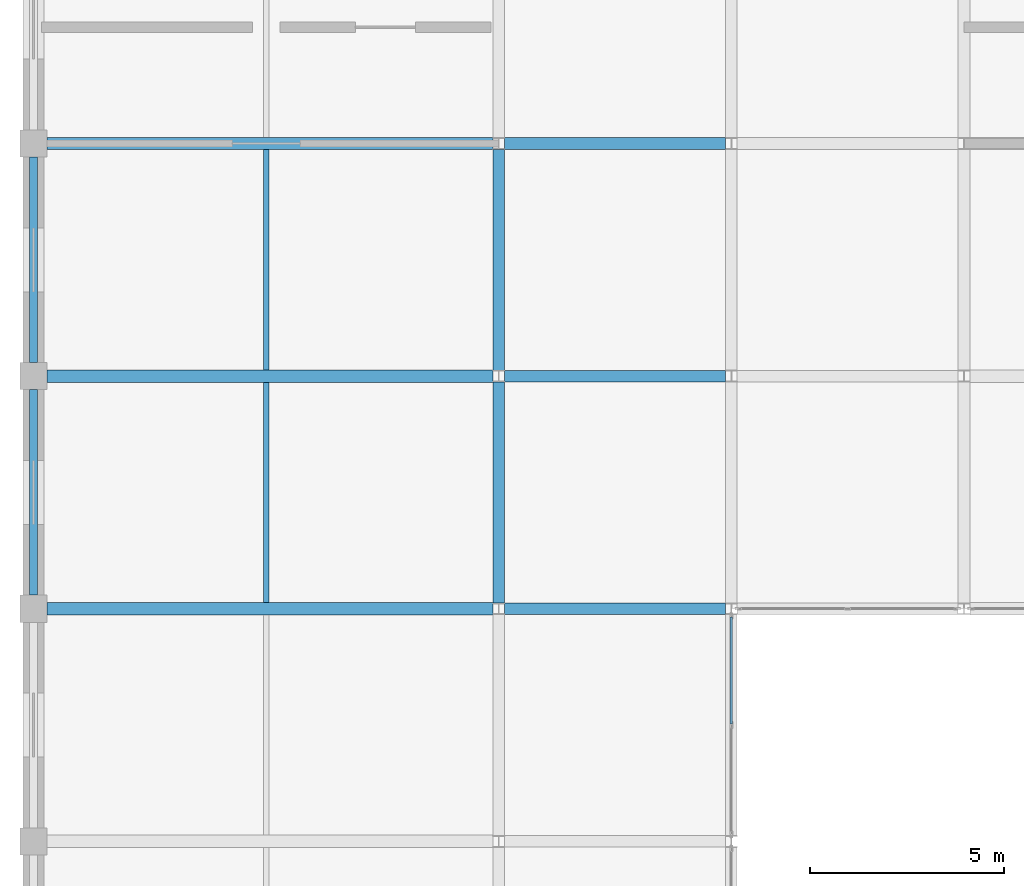
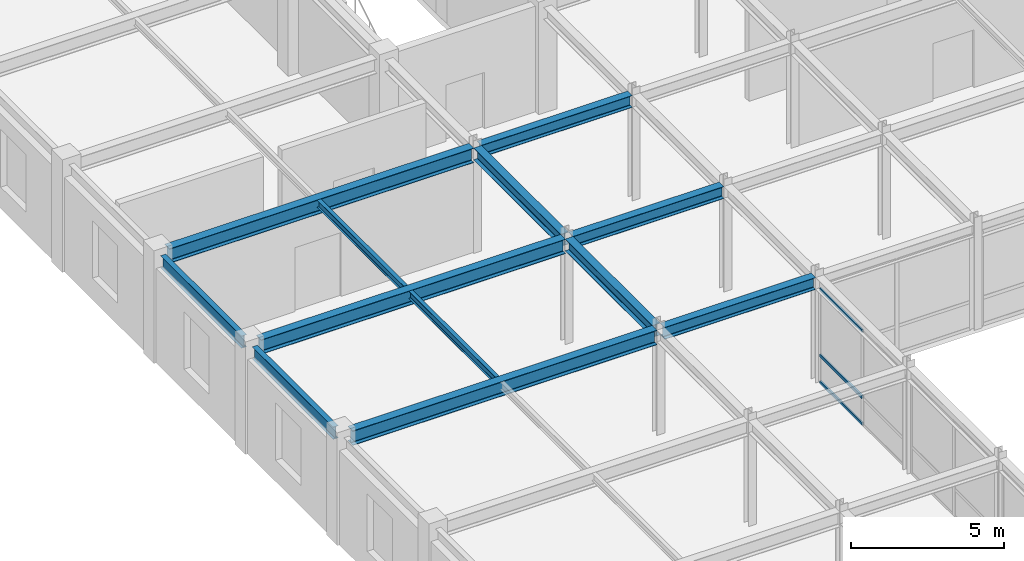
# One storey, part 67 of 108: 12 beams, 3 members, 1 element without a shape of its own.
"""IFC4 building model written with IfcOpenShell, lengths in metres."""

from ifc_helpers import new_model, si_unit, direction, frame, origin, origin_2d, place, context, subcontext, project, spatial, hollow_rectangle, i_section, extrude, material, layer, layer_set, material_profile, profile_set, type_object, element, aggregate, save


model = new_model("IFC4")

# Units and contexts
model_context = context("Model", 3, precision=1e-05, world=origin(), true_north=direction((0.0, 1.0)))
body_context = subcontext(model_context, "Body", "Model", "MODEL_VIEW")
ifc_project = project(units=[si_unit("LENGTHUNIT", "METRE"), si_unit("AREAUNIT", "SQUARE_METRE"), si_unit("VOLUMEUNIT", "CUBIC_METRE"), si_unit("PLANEANGLEUNIT", "RADIAN"), si_unit("MASSUNIT", "GRAM", prefix="KILO")], contexts=[model_context])

# Site, building, storey
site_placement = place(None, origin())
site = spatial("IfcSite", under=ifc_project, at=site_placement, CompositionType="ELEMENT")
building_placement = place(site_placement, origin())
building = spatial("IfcBuilding", under=site, at=building_placement, Name="Zlatovratsky Civic Hall", CompositionType="ELEMENT")
storey_placement = place(building_placement, frame((0.0, 0.0, 12.0)))
storey = spatial("IfcBuildingStorey", under=building, at=storey_placement, Name="L03", CompositionType="ELEMENT", Elevation=12.0)

# Beams
ifc_material_1 = material(Name="Steel S355", Category="steel")
ifc_material_profile_1 = material_profile(ifc_material_1, i_section(OverallWidth=0.300048828125, OverallDepth=0.48193359375, WebThickness=0.010986328125, FlangeThickness=0.014892578125, FilletRadius=0.02392578125, at=origin_2d()), Name="50Sh1")
ifc_profile_set_1 = profile_set([ifc_material_profile_1], Name="Steel S355")
beam_type_1 = type_object("IfcBeamType", Name="Beam_LibraryGirder_50Sh1", PredefinedType="BEAM", material=ifc_profile_set_1)
for number, where, z_axis, x_axis, name in (
    (1, (12.1494140625, 66.0, 3.97900390625), (1.0, 0.0, 0.0), (0.0, 1.0, 0.0), "BM-2606"),
    (2, (12.1494140625, 72.0, 3.97900390625), (1.0, 0.0, 0.0), (0.0, 1.0, 0.0), "BM-2622"),
    (3, (12.1494140625, 78.0, 3.97900390625), (1.0, 0.0, 0.0), (0.0, 1.0, 0.0), "BM-2644"),
):
    element("IfcBeam", number, at=place(storey_placement, frame(where, z_axis=z_axis, x_axis=x_axis)), inside=storey, type_object=beam_type_1, Name=name, PredefinedType="BEAM", context=body_context, shape_type="SweptSolid", body=[
        extrude(i_section(OverallWidth=0.300048828125, OverallDepth=0.48193359375, WebThickness=0.010986328125, FlangeThickness=0.014892578125, FilletRadius=0.02392578125, at=origin_2d()), origin(), (0.0, 0.0, 1.0), 5.701171875),
    ])
for number, where, z_axis, x_axis, name in (
    (4, (12.0, 66.14794921875, 3.97900390625), (0.0, 1.0, 0.0), (-1.0, 0.0, 0.0), "BM-2819"),
    (5, (12.0, 72.14794921875, 3.97900390625), (0.0, 1.0, 0.0), (-1.0, 0.0, 0.0), "BM-2820"),
):
    element("IfcBeam", number, at=place(storey_placement, frame(where, z_axis=z_axis, x_axis=x_axis)), inside=storey, type_object=beam_type_1, Name=name, PredefinedType="BEAM", context=body_context, shape_type="SweptSolid", body=[
        extrude(i_section(OverallWidth=0.300048828125, OverallDepth=0.48193359375, WebThickness=0.010986328125, FlangeThickness=0.014892578125, FilletRadius=0.02392578125, at=origin_2d()), origin(), (0.0, 0.0, 1.0), 5.7041015625),
    ])
ifc_material_profile_2 = material_profile(ifc_material_1, i_section(OverallWidth=0.320068359375, OverallDepth=0.58203125, WebThickness=0.011962890625, FlangeThickness=0.01708984375, FilletRadius=0.02392578125, at=origin_2d()), Name="60Sh1")
ifc_profile_set_2 = profile_set([ifc_material_profile_2], Name="Steel S355")
beam_type_2 = type_object("IfcBeamType", Name="Beam_PodiumGirder_60Sh1", PredefinedType="BEAM", material=ifc_profile_set_2)
for number, where, z_axis, x_axis, name in (
    (6, (0.35009765625, 66.0, 3.928955078125), (1.0, 0.0, 0.0), (0.0, 1.0, 0.0), "BM-2605"),
    (7, (0.35009765625, 72.0, 3.928955078125), (1.0, 0.0, 0.0), (0.0, 1.0, 0.0), "BM-2621"),
    (8, (0.35009765625, 78.0, 3.928955078125), (1.0, 0.0, 0.0), (0.0, 1.0, 0.0), "BM-2643"),
):
    element("IfcBeam", number, at=place(storey_placement, frame(where, z_axis=z_axis, x_axis=x_axis)), inside=storey, type_object=beam_type_2, Name=name, PredefinedType="BEAM", context=body_context, shape_type="SweptSolid", body=[
        extrude(i_section(OverallWidth=0.320068359375, OverallDepth=0.58203125, WebThickness=0.011962890625, FlangeThickness=0.01708984375, FilletRadius=0.02392578125, at=origin_2d()), origin(), (0.0, 0.0, 1.0), 11.50048828125),
    ])
ifc_material_profile_3 = material_profile(ifc_material_1, i_section(OverallWidth=0.198974609375, OverallDepth=0.491943359375, WebThickness=0.0087890625, FlangeThickness=0.011962890625, FilletRadius=0.01611328125, at=origin_2d()), Name="50B1")
ifc_profile_set_3 = profile_set([ifc_material_profile_3], Name="Steel S355")
beam_type_3 = type_object("IfcBeamType", Name="Beam_Spandrel_50B1", PredefinedType="SPANDREL", material=ifc_profile_set_3)
for number, where, z_axis, x_axis, name in (
    (9, (0.0, 66.35009765625, 3.97412109375), (0.0, 1.0, 0.0), (-1.0, 0.0, 0.0), "BM-2802"),
    (10, (0.0, 72.35009765625, 3.97412109375), (0.0, 1.0, 0.0), (-1.0, 0.0, 0.0), "BM-2803"),
):
    element("IfcBeam", number, at=place(storey_placement, frame(where, z_axis=z_axis, x_axis=x_axis)), inside=storey, type_object=beam_type_3, Name=name, PredefinedType="SPANDREL", context=body_context, shape_type="SweptSolid", body=[
        extrude(i_section(OverallWidth=0.198974609375, OverallDepth=0.491943359375, WebThickness=0.0087890625, FlangeThickness=0.011962890625, FilletRadius=0.01611328125, at=origin_2d()), origin(), (0.0, 0.0, 1.0), 5.2998046875),
    ])

# Curtain wall, members
ifc_material_2 = material(Name="Anodised bronze aluminium", Category="aluminium")
ifc_layer = layer(ifc_material_2, 0.159912109375)
ifc_layer_set = layer_set([ifc_layer], Name="Anodised bronze aluminium")
curtain_wall_type = type_object("IfcCurtainWallType", Name="CurtainWall_Bronze_5700x3770_12", PredefinedType="NOTDEFINED", material=ifc_layer_set)
curtain_wall_placement = place(storey_placement, origin())
curtain_wall = element("IfcCurtainWall", 11, at=curtain_wall_placement, inside=storey, type_object=curtain_wall_type, Name="CW-062", PredefinedType="NOTDEFINED")
ifc_material_profile_4 = material_profile(ifc_material_2, hollow_rectangle(XDim=0.06005859375, YDim=0.1201171875, WallThickness=0.00390625, at=origin_2d()), Name="ALU 60x120x4")
ifc_profile_set_4 = profile_set([ifc_material_profile_4], Name="Anodised bronze aluminium")
member_type = type_object("IfcMemberType", Name="CW_Transom_60x120", PredefinedType="USERDEFINED", material=ifc_profile_set_4)
member_1_placement = place(storey_placement, frame((18.0, 63.030029296875, 0.030029296875), z_axis=(0.0, 1.0, 0.0), x_axis=(-1.0, 0.0, 0.0)))
member_1 = element("IfcMember", 12, at=member_1_placement, type_object=member_type, Name="CW-12 transom 2.1", ObjectType="TRANSOM", PredefinedType="USERDEFINED", context=body_context, shape_type="SweptSolid", body=[
    extrude(hollow_rectangle(XDim=0.06005859375, YDim=0.1201171875, WallThickness=0.00390625, at=origin_2d()), origin(), (0.0, 0.0, 1.0), 2.761962890625),
])
member_2_placement = place(storey_placement, frame((18.0, 63.030029296875, 1.10009765625), z_axis=(0.0, 1.0, 0.0), x_axis=(-1.0, 0.0, 0.0)))
member_2 = element("IfcMember", 13, at=member_2_placement, type_object=member_type, Name="CW-12 transom 2.2", ObjectType="TRANSOM", PredefinedType="USERDEFINED", context=body_context, shape_type="SweptSolid", body=[
    extrude(hollow_rectangle(XDim=0.06005859375, YDim=0.1201171875, WallThickness=0.00390625, at=origin_2d()), origin(), (0.0, 0.0, 1.0), 2.761962890625),
])
member_3_placement = place(storey_placement, frame((18.0, 63.030029296875, 3.739990234375), z_axis=(0.0, 1.0, 0.0), x_axis=(-1.0, 0.0, 0.0)))
member_3 = element("IfcMember", 14, at=member_3_placement, type_object=member_type, Name="CW-12 transom 2.3", ObjectType="TRANSOM", PredefinedType="USERDEFINED", context=body_context, shape_type="SweptSolid", body=[
    extrude(hollow_rectangle(XDim=0.06005859375, YDim=0.1201171875, WallThickness=0.00390625, at=origin_2d()), origin(), (0.0, 0.0, 1.0), 2.761962890625),
])
aggregate(curtain_wall, [member_1, member_2, member_3])

# Beams
ifc_material_profile_5 = material_profile(ifc_material_1, i_section(OverallWidth=0.14892578125, OverallDepth=0.2958984375, WebThickness=0.005615234375, FlangeThickness=0.008056640625, FilletRadius=0.012939453125, at=origin_2d()), Name="30B1")
ifc_profile_set_5 = profile_set([ifc_material_profile_5], Name="Steel S355")
beam_type_4 = type_object("IfcBeamType", Name="Joist_Tower_30B1", PredefinedType="JOIST", material=ifc_profile_set_5)
for number, where, z_axis, x_axis, name in (
    (15, (6.0, 66.159912109375, 4.072021484375), (0.0, 1.0, 0.0), (-1.0, 0.0, 0.0), "BM-3150"),
    (16, (6.0, 72.159912109375, 4.072021484375), (0.0, 1.0, 0.0), (-1.0, 0.0, 0.0), "BM-3156"),
):
    element("IfcBeam", number, at=place(storey_placement, frame(where, z_axis=z_axis, x_axis=x_axis)), inside=storey, type_object=beam_type_4, Name=name, PredefinedType="JOIST", context=body_context, shape_type="SweptSolid", body=[
        extrude(i_section(OverallWidth=0.14892578125, OverallDepth=0.2958984375, WebThickness=0.005615234375, FlangeThickness=0.008056640625, FilletRadius=0.012939453125, at=origin_2d()), origin(), (0.0, 0.0, 1.0), 5.68017578125),
    ])

save(model, "model.ifc")
